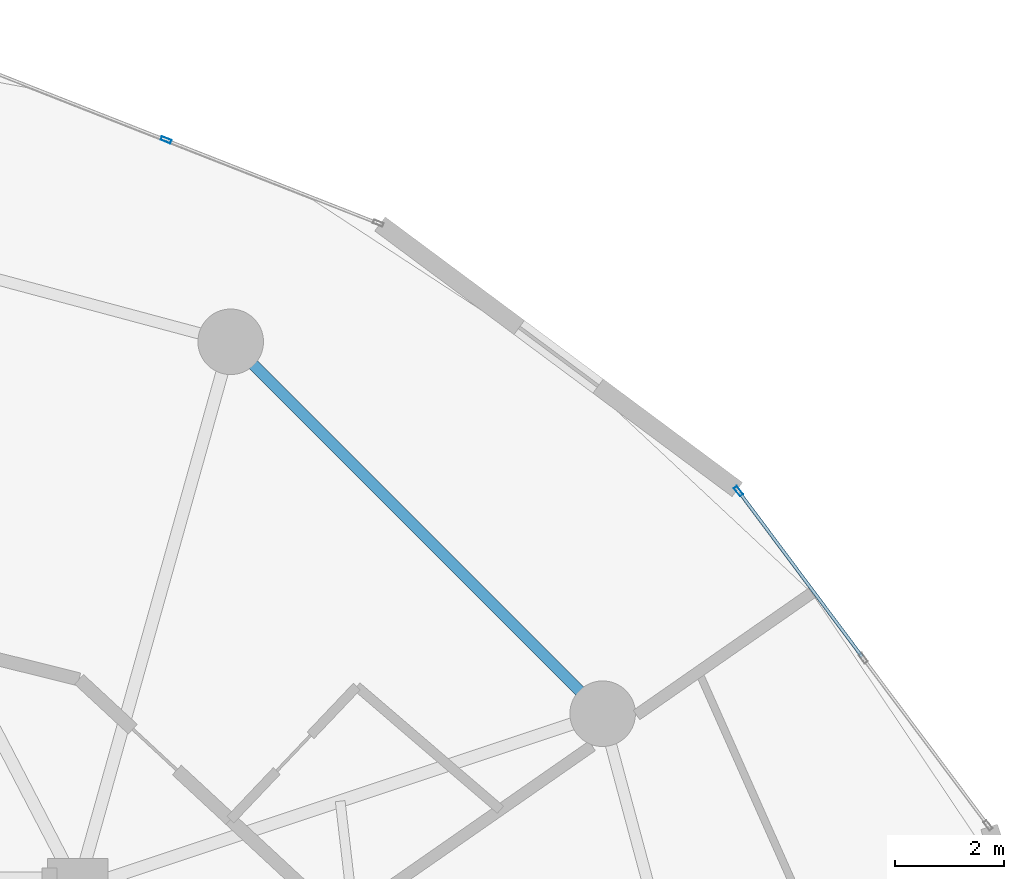
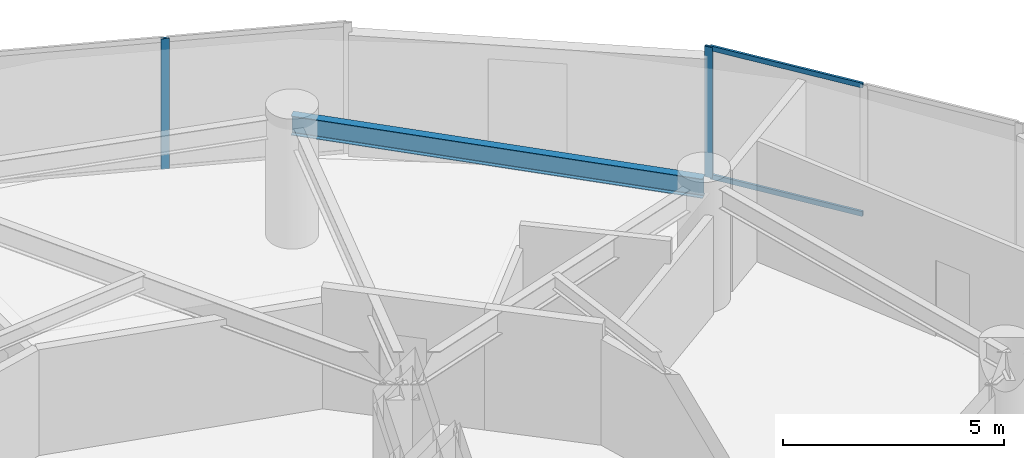
# One storey, part 16 of 25: 4 members, 1 beam, 2 elements without a shape of their own.
"""IFC4 building model written with IfcOpenShell, lengths in metres."""

from ifc_helpers import new_model, si_unit, direction, frame, origin, origin_2d, place, context, subcontext, project, spatial, hollow_rectangle, i_section, extrude, source, transform, mapped, material, layer, layer_set, material_profile, profile_set, type_object, element, aggregate, save


model = new_model("IFC4")

# Units and contexts
model_context = context("Model", 3, precision=1e-05, world=origin(), true_north=direction((0.0, 1.0)))
body_context = subcontext(model_context, "Body", "Model", "MODEL_VIEW")
ifc_project = project(units=[si_unit("LENGTHUNIT", "METRE"), si_unit("AREAUNIT", "SQUARE_METRE"), si_unit("VOLUMEUNIT", "CUBIC_METRE"), si_unit("PLANEANGLEUNIT", "RADIAN"), si_unit("MASSUNIT", "GRAM", prefix="KILO")], contexts=[model_context])

# Site, building, storey
site_placement = place(None, origin())
site = spatial("IfcSite", under=ifc_project, at=site_placement, CompositionType="ELEMENT")
building_placement = place(site_placement, origin())
building = spatial("IfcBuilding", under=site, at=building_placement, Name="Solvirekh Grand Hotel", CompositionType="ELEMENT")
storey_placement = place(building_placement, frame((0.0, 0.0, 57.199951171875)))
storey = spatial("IfcBuildingStorey", under=building, at=storey_placement, Name="L13", CompositionType="ELEMENT", Elevation=57.199951171875)

# Beam
ifc_material_1 = material(Name="Steel S355", Category="steel")
ifc_material_profile_1 = material_profile(ifc_material_1, i_section(OverallWidth=0.208984375, OverallDepth=0.532958984375, WebThickness=0.010009765625, FlangeThickness=0.014892578125, FilletRadius=0.013916015625, at=origin_2d()), Name="W530X92")
ifc_profile_set_1 = profile_set([ifc_material_profile_1], Name="Steel S355")
beam_type = type_object("IfcBeamType", Name="Spandrel_Ring_W530", PredefinedType="SPANDREL", material=ifc_profile_set_1)
beam_placement = place(storey_placement, frame((16.10791015625, 9.300048828125, 3.072998046875), z_axis=(-0.707106781187, 0.707106781187, 0.0), x_axis=(-0.707106781187, -0.707106781187, 0.0)))
element("IfcBeam", 1, at=beam_placement, inside=storey, type_object=beam_type, Name="L13 perimeter spandrel beam 2", PredefinedType="SPANDREL", context=body_context, shape_type="SweptSolid", body=[
    extrude(i_section(OverallWidth=0.208984375, OverallDepth=0.532958984375, WebThickness=0.010009765625, FlangeThickness=0.014892578125, FilletRadius=0.013916015625, at=origin_2d()), origin(), (0.0, 0.0, 1.0), 9.627685546875),
])

# Curtain wall, member
ifc_material_2 = material(Name="Anodized Bronze Aluminium 6063-T6", Category="aluminium")
ifc_layer = layer(ifc_material_2, 0.18994140625)
ifc_layer_set = layer_set([ifc_layer], Name="Anodized Bronze Aluminium 6063-T6")
curtain_wall_type = type_object("IfcCurtainWallType", Name="CW_Sys2_LowZoneFlushBronzeCW", PredefinedType="NOTDEFINED", material=ifc_layer_set)
curtain_wall_1_placement = place(storey_placement, origin())
curtain_wall_1 = element("IfcCurtainWall", 2, at=curtain_wall_1_placement, inside=storey, type_object=curtain_wall_type, Name="L13 unitised bronze-glass curtain wall CW-L13-C03", PredefinedType="NOTDEFINED")
ifc_material_profile_2 = material_profile(ifc_material_2, hollow_rectangle(XDim=0.070068359375, YDim=0.18994140625, WallThickness=0.0048828125, at=origin_2d()), Name="ALU RHS 190X70X5")
ifc_profile_set_2 = profile_set([ifc_material_profile_2], Name="Anodized Bronze Aluminium 6063-T6")
member_type_1 = type_object("IfcMemberType", Name="CWMullion_Sys2", PredefinedType="MULLION", material=ifc_profile_set_2)
shared_shape_1 = source(origin(), body_context, "Body", "SweptSolid", [
    extrude(hollow_rectangle(XDim=0.070068359375, YDim=0.18994140625, WallThickness=0.0048828125, at=origin_2d()), origin(), (0.0, 0.0, 1.0), 3.60009765625),
])
member_1_placement = place(storey_placement, frame((18.593994140625, 13.375, 0.0), z_axis=(0.0, 0.0, 1.0), x_axis=(-0.801275244667, -0.598295898601, 0.0)))
member_1 = element("IfcMember", 3, at=member_1_placement, type_object=member_type_1, Name="U02 mullion 3", PredefinedType="MULLION", context=body_context, shape_type="MappedRepresentation", body=[
    mapped(shared_shape_1, transform((0.0, 0.0, 0.0), x_axis=(1.0, 0.0, 0.0), y_axis=(0.0, 1.0, 0.0), z_axis=(0.0, 0.0, 1.0), scale=1.0)),
])

curtain_wall_2_placement = place(storey_placement, origin())
curtain_wall_2 = element("IfcCurtainWall", 4, at=curtain_wall_2_placement, inside=storey, type_object=curtain_wall_type, Name="L13 unitised bronze-glass curtain wall CW-L13-C05", PredefinedType="NOTDEFINED")
member_2_placement = place(storey_placement, frame((8.117431640625, 19.802001953125, 0.0), z_axis=(0.0, 0.0, 1.0), x_axis=(-0.365398599776, -0.930851149906, 0.0)))
member_2 = element("IfcMember", 5, at=member_2_placement, type_object=member_type_1, Name="U02 mullion 2", PredefinedType="MULLION", context=body_context, shape_type="MappedRepresentation", body=[
    mapped(shared_shape_1, transform((0.0, 0.0, 0.0), x_axis=(1.0, 0.0, 0.0), y_axis=(0.0, 1.0, 0.0), z_axis=(0.0, 0.0, 1.0), scale=1.0)),
])
aggregate(curtain_wall_2, [member_2])

# Member
ifc_material_profile_3 = material_profile(ifc_material_2, hollow_rectangle(XDim=0.06005859375, YDim=0.135009765625, WallThickness=0.00390625, at=origin_2d()), Name="ALU RHS 135X60X4")
ifc_profile_set_3 = profile_set([ifc_material_profile_3], Name="Anodized Bronze Aluminium 6063-T6")
member_type_2 = type_object("IfcMemberType", Name="CWTransom_Sys2", PredefinedType="USERDEFINED", material=ifc_profile_set_3)
shared_shape_2 = source(origin(), body_context, "Body", "SweptSolid", [
    extrude(hollow_rectangle(XDim=0.06005859375, YDim=0.135009765625, WallThickness=0.00390625, at=origin_2d()), origin(), (0.0, 0.0, 1.0), 3.74755859375),
])
member_3_placement = place(storey_placement, frame((20.857177734375, 10.343994140625, 0.030029296875), z_axis=(-0.598289232485, 0.801280222078, 0.0), x_axis=(-0.801280222078, -0.598289232485, 0.0)))
member_3 = element("IfcMember", 6, at=member_3_placement, type_object=member_type_2, Name="U02 transom 2.1", ObjectType="TRANSOM", PredefinedType="USERDEFINED", context=body_context, shape_type="MappedRepresentation", body=[
    mapped(shared_shape_2, transform((0.0, 0.0, 0.0), x_axis=(1.0, 0.0, 0.0), y_axis=(0.0, 1.0, 0.0), z_axis=(0.0, 0.0, 1.0), scale=1.0)),
])

member_4_placement = place(storey_placement, frame((20.857177734375, 10.343994140625, 3.570068359375), z_axis=(-0.598289232485, 0.801280222078, 0.0), x_axis=(-0.801280222078, -0.598289232485, 0.0)))
member_4 = element("IfcMember", 7, at=member_4_placement, type_object=member_type_2, Name="U02 transom 2.2", ObjectType="TRANSOM", PredefinedType="USERDEFINED", context=body_context, shape_type="MappedRepresentation", body=[
    mapped(shared_shape_2, transform((0.0, 0.0, 0.0), x_axis=(1.0, 0.0, 0.0), y_axis=(0.0, 1.0, 0.0), z_axis=(0.0, 0.0, 1.0), scale=1.0)),
])

aggregate(curtain_wall_1, [member_1, member_3, member_4])

save(model, "model.ifc")
